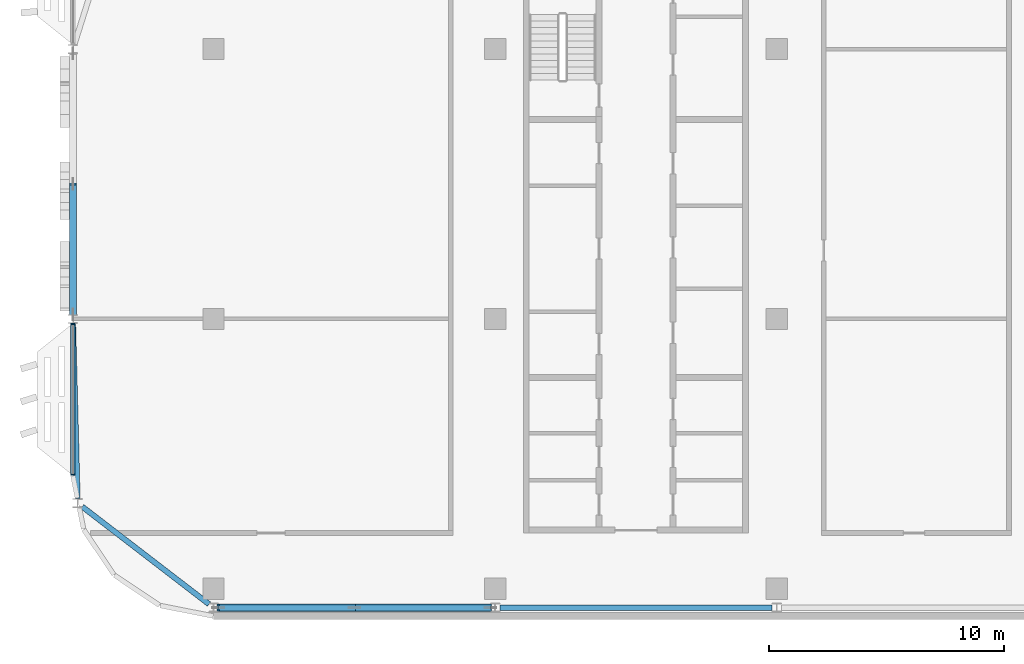
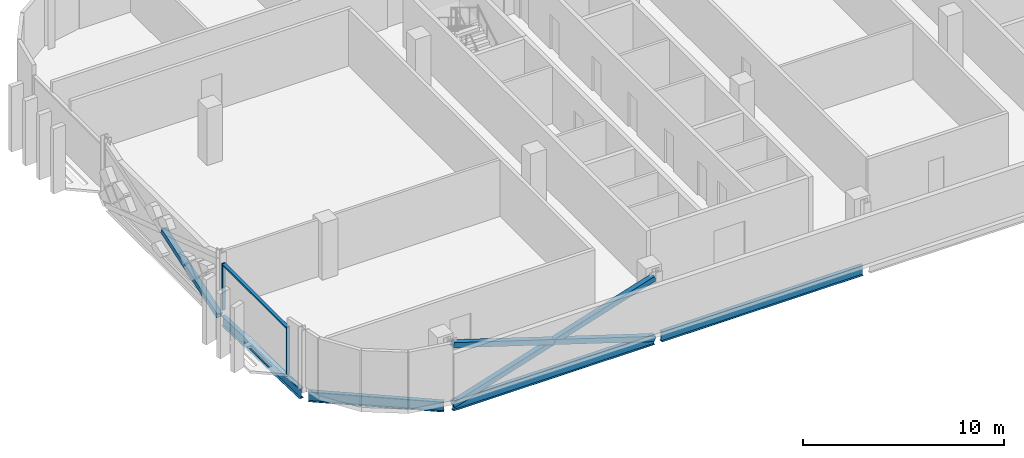
# One storey, part 5 of 25: 7 members, 4 beams, 1 element without a shape of its own.
"""IFC4 building model written with IfcOpenShell, lengths in metres."""

from ifc_helpers import new_model, si_unit, direction, frame, origin, origin_2d, place, context, subcontext, project, spatial, rectangle, hollow_rectangle, i_section, extrude, material, material_profile, profile_set, type_object, element, aggregate, save


model = new_model("IFC4")

# Units and contexts
model_context = context("Model", 3, precision=1e-05, world=origin(), true_north=direction((0.0, 1.0)))
body_context = subcontext(model_context, "Body", "Model", "MODEL_VIEW")
ifc_project = project(units=[si_unit("LENGTHUNIT", "METRE"), si_unit("AREAUNIT", "SQUARE_METRE"), si_unit("VOLUMEUNIT", "CUBIC_METRE"), si_unit("PLANEANGLEUNIT", "RADIAN"), si_unit("MASSUNIT", "GRAM", prefix="KILO")], contexts=[model_context])

# Site, building, storey
site_placement = place(None, origin())
site = spatial("IfcSite", under=ifc_project, at=site_placement, CompositionType="ELEMENT")
building_placement = place(site_placement, origin())
building = spatial("IfcBuilding", under=site, at=building_placement, Name="Mahtab Terrace Research Tower", CompositionType="ELEMENT")
storey_placement = place(building_placement, frame((0.0, 0.0, 278.5)))
storey = spatial("IfcBuildingStorey", under=building, at=storey_placement, Name="L68", CompositionType="ELEMENT", Elevation=278.5)

# Members
ifc_material_1 = material(Name="Steel ASTM A500 Gr C", Category="steel")
ifc_material_profile_1 = material_profile(ifc_material_1, hollow_rectangle(XDim=0.3046875, YDim=0.3046875, WallThickness=0.015869140625, at=origin_2d()), Name="HSS12X12X5/8")
ifc_profile_set_1 = profile_set([ifc_material_profile_1], Name="Steel ASTM A500 Gr C")
member_type_1 = type_object("IfcMemberType", Name="HSS 12x12x5/8 brace XB121258", PredefinedType="BRACE", material=ifc_profile_set_1)
member_1_placement = place(storey_placement, frame((-48.0, 0.18798828125, -0.58154296875), z_axis=(0.0, 0.949505289695, 0.313751023651), x_axis=(-1.0, 0.0, 0.0)))
element("IfcMember", 1, at=member_1_placement, inside=storey, type_object=member_type_1, Name="Exoskeleton brace L68 11 b1", PredefinedType="BRACE", context=body_context, shape_type="SweptSolid", body=[
    extrude(hollow_rectangle(XDim=0.3046875, YDim=0.3046875, WallThickness=0.015869140625, at=origin_2d()), origin(), (0.0, 0.0, 1.0), 5.85791015625),
])
member_2_placement = place(storey_placement, frame((-41.80322265625, -12.306884765625, -0.581298828125), z_axis=(0.953344149173, 0.0, 0.301885629399), x_axis=(0.0, 1.0, 0.0)))
element("IfcMember", 2, at=member_2_placement, inside=storey, type_object=member_type_1, Name="Exoskeleton brace L68 14 a", PredefinedType="BRACE", context=body_context, shape_type="SweptSolid", body=[
    extrude(hollow_rectangle(XDim=0.3046875, YDim=0.3046875, WallThickness=0.015869140625, at=origin_2d()), origin(), (0.0, 0.0, 1.0), 12.174560546875),
])
for number, where, z_axis, x_axis, name in (
    (3, (-30.19677734375, -12.306884765625, -0.581298828125), (-0.953344149173, 0.0, 0.301885629399), (0.0, -1.0, 0.0), "Exoskeleton brace L68 14 b1"),
    (4, (-36.0, -12.306884765625, 1.25634765625), (-0.953344149173, 0.0, 0.301885629399), (0.0, -1.0, 0.0), "Exoskeleton brace L68 14 b2"),
):
    element("IfcMember", number, at=place(storey_placement, frame(where, z_axis=z_axis, x_axis=x_axis)), inside=storey, type_object=member_type_1, Name=name, PredefinedType="BRACE", context=body_context, shape_type="SweptSolid", body=[
        extrude(hollow_rectangle(XDim=0.3046875, YDim=0.3046875, WallThickness=0.015869140625, at=origin_2d()), origin(), (0.0, 0.0, 1.0), 6.087158203125),
    ])

# Curtain wall, members
ifc_material_2 = material(Name="Office ribbon curtain wall")
curtain_wall_type = type_object("IfcCurtainWallType", Name="Office ribbon curtain wall", PredefinedType="NOTDEFINED", material=ifc_material_2)
curtain_wall_placement = place(storey_placement, origin())
curtain_wall = element("IfcCurtainWall", 5, at=curtain_wall_placement, inside=storey, type_object=curtain_wall_type, Name="EN.L68.8.10", PredefinedType="NOTDEFINED")
ifc_material_3 = material(Name="Natural anodised aluminium", Category="aluminium")
ifc_material_profile_2 = material_profile(ifc_material_3, rectangle(XDim=0.179931640625, YDim=0.06005859375, at=origin_2d()), Name="MULLION 60x180")
ifc_profile_set_2 = profile_set([ifc_material_profile_2], Name="Natural anodised aluminium")
member_type_2 = type_object("IfcMemberType", Name="Office ribbon curtain wall mullion", PredefinedType="MULLION", material=ifc_profile_set_2)
member_3_placement = place(storey_placement, frame((-48.0, -0.218017578125, 0.0), z_axis=(0.0, 0.0, 1.0), x_axis=(1.0, 0.0, 0.0)))
member_3 = element("IfcMember", 6, at=member_3_placement, type_object=member_type_2, Name="CWO-8 mullion 1", PredefinedType="MULLION", context=body_context, shape_type="SweptSolid", body=[
    extrude(rectangle(XDim=0.179931640625, YDim=0.06005859375, at=origin_2d()), origin(), (0.0, 0.0, 1.0), 2.852783203125),
])
member_4_placement = place(storey_placement, frame((-48.0, -6.637939453125, 0.0), z_axis=(0.0, 0.0, 1.0), x_axis=(1.0, 0.0, 0.0)))
member_4 = element("IfcMember", 7, at=member_4_placement, type_object=member_type_2, Name="CWO-8 mullion 2", PredefinedType="MULLION", context=body_context, shape_type="SweptSolid", body=[
    extrude(rectangle(XDim=0.179931640625, YDim=0.06005859375, at=origin_2d()), origin(), (0.0, 0.0, 1.0), 2.852783203125),
])
ifc_material_profile_3 = material_profile(ifc_material_3, rectangle(XDim=0.179931640625, YDim=0.10009765625, at=origin_2d()), Name="TRANSOM 100x180")
ifc_profile_set_3 = profile_set([ifc_material_profile_3], Name="Natural anodised aluminium")
member_type_3 = type_object("IfcMemberType", Name="Office ribbon curtain wall transom", PredefinedType="USERDEFINED", material=ifc_profile_set_3)
member_5_placement = place(storey_placement, frame((-48.0, -0.248046875, 2.802978515625), z_axis=(0.0, -1.0, 0.0), x_axis=(1.0, 0.0, 0.0)))
member_5 = element("IfcMember", 8, at=member_5_placement, type_object=member_type_3, Name="CWO-8 transom 1", ObjectType="TRANSOM", PredefinedType="USERDEFINED", context=body_context, shape_type="SweptSolid", body=[
    extrude(rectangle(XDim=0.179931640625, YDim=0.10009765625, at=origin_2d()), origin(), (0.0, 0.0, 1.0), 6.35986328125),
])
aggregate(curtain_wall, [member_3, member_4, member_5])

# Beams
ifc_material_4 = material(Name="Steel ASTM A992 Gr 50", Category="steel")
ifc_material_profile_4 = material_profile(ifc_material_4, i_section(OverallWidth=0.228271484375, OverallDepth=0.607177734375, WebThickness=0.01123046875, FlangeThickness=0.017333984375, at=origin_2d()), Name="W24X76")
ifc_profile_set_4 = profile_set([ifc_material_profile_4], Name="Steel ASTM A992 Gr 50")
beam_type = type_object("IfcBeamType", Name="W24x76 beam BS2476", PredefinedType="BEAM", material=ifc_profile_set_4)
beam_1_placement = place(storey_placement, frame((-47.9951171875, -0.18798828125, -0.6435546875), z_axis=(0.025738056343, -0.999668721355, 0.0), x_axis=(0.999668721355, 0.025738056343, 0.0)))
element("IfcBeam", 9, at=beam_1_placement, inside=storey, type_object=beam_type, Name="Spandrel beam L68 12", PredefinedType="BEAM", context=body_context, shape_type="SweptSolid", body=[
    extrude(i_section(OverallWidth=0.228271484375, OverallDepth=0.607177734375, WebThickness=0.01123046875, FlangeThickness=0.017333984375, at=origin_2d()), origin(), (0.0, 0.0, 1.0), 7.474609375),
])
beam_2_placement = place(storey_placement, frame((-47.60107421875, -7.999267578125, -0.6435546875), z_axis=(0.792687883453, -0.60962768919, 0.0), x_axis=(0.60962768919, 0.792687883453, 0.0)))
element("IfcBeam", 10, at=beam_2_placement, inside=storey, type_object=beam_type, Name="Spandrel beam L68 13", PredefinedType="BEAM", context=body_context, shape_type="SweptSolid", body=[
    extrude(i_section(OverallWidth=0.228271484375, OverallDepth=0.607177734375, WebThickness=0.01123046875, FlangeThickness=0.017333984375, at=origin_2d()), origin(), (0.0, 0.0, 1.0), 6.817626953125),
])
for number, where, z_axis, x_axis, name in (
    (11, (-41.80322265625, -12.306884765625, -0.6435546875), (1.0, 0.0, 0.0), (0.0, 1.0, 0.0), "Spandrel beam L68 14"),
    (12, (-29.80322265625, -12.306884765625, -0.6435546875), (1.0, 0.0, 0.0), (0.0, 1.0, 0.0), "Spandrel beam L68 15"),
):
    element("IfcBeam", number, at=place(storey_placement, frame(where, z_axis=z_axis, x_axis=x_axis)), inside=storey, type_object=beam_type, Name=name, PredefinedType="BEAM", context=body_context, shape_type="SweptSolid", body=[
        extrude(i_section(OverallWidth=0.228271484375, OverallDepth=0.607177734375, WebThickness=0.01123046875, FlangeThickness=0.017333984375, at=origin_2d()), origin(), (0.0, 0.0, 1.0), 11.6064453125),
    ])

save(model, "model.ifc")
